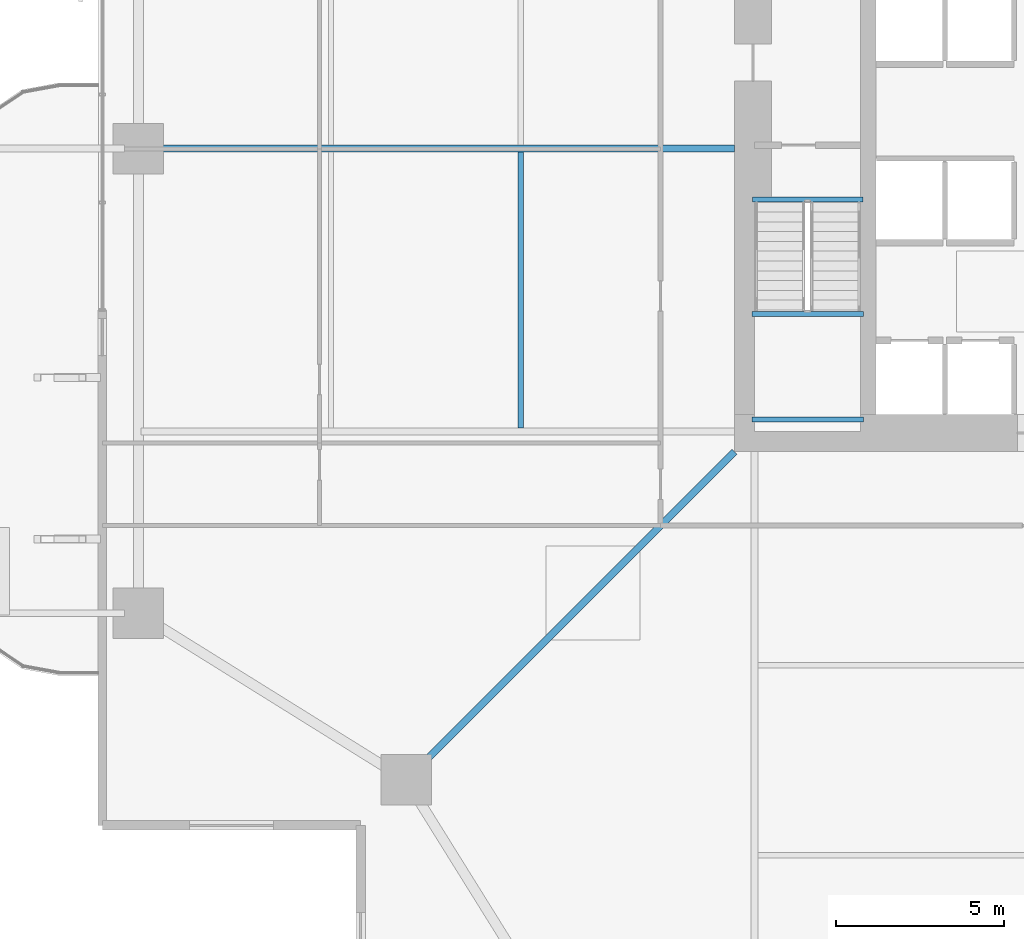
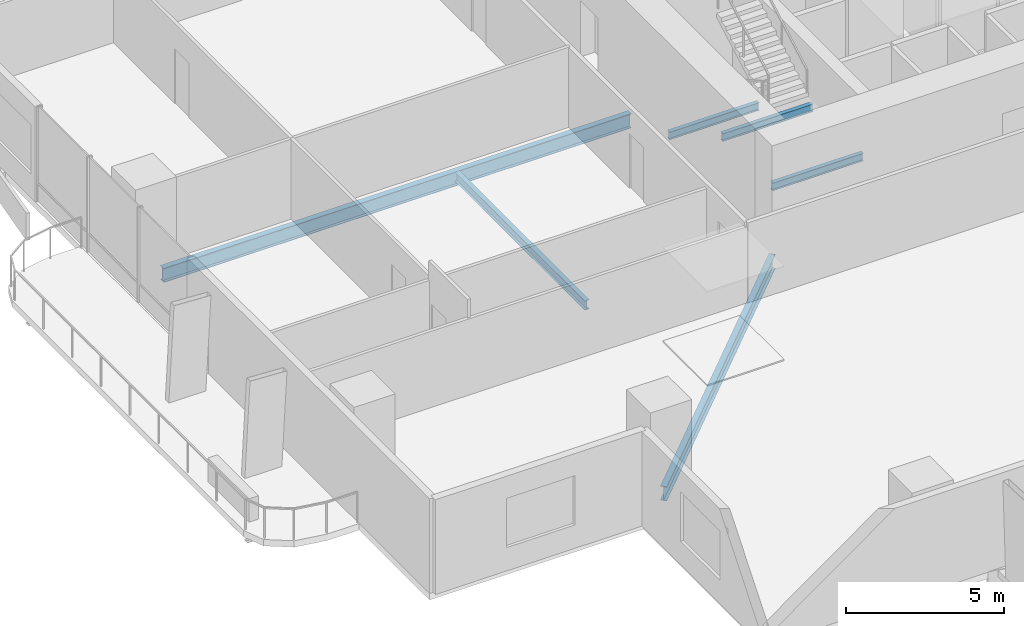
# One storey, part 5 of 24: 6 beams.
"""IFC4 building model written with IfcOpenShell, lengths in metres."""

from ifc_helpers import new_model, si_unit, direction, frame, origin, origin_2d, place, context, subcontext, project, spatial, i_section, extrude, material, material_profile, profile_set, type_object, element, save


model = new_model("IFC4")

# Units and contexts
model_context = context("Model", 3, precision=1e-05, world=origin(), true_north=direction((0.0, 1.0)))
body_context = subcontext(model_context, "Body", "Model", "MODEL_VIEW")
ifc_project = project(units=[si_unit("LENGTHUNIT", "METRE"), si_unit("AREAUNIT", "SQUARE_METRE"), si_unit("VOLUMEUNIT", "CUBIC_METRE"), si_unit("PLANEANGLEUNIT", "RADIAN"), si_unit("MASSUNIT", "GRAM", prefix="KILO")], contexts=[model_context])

# Site, building, storey
site_placement = place(None, origin())
site = spatial("IfcSite", under=ifc_project, at=site_placement, CompositionType="ELEMENT")
building_placement = place(site_placement, origin())
building = spatial("IfcBuilding", under=site, at=building_placement, Name="Belovzor Exchange Tower", CompositionType="ELEMENT")
storey_placement = place(building_placement, frame((0.0, 0.0, 72.89990234375)))
storey = spatial("IfcBuildingStorey", under=building, at=storey_placement, Name="L17", CompositionType="ELEMENT", Elevation=72.89990234375)

# Beams
ifc_material_1 = material(Name="Steel S355", Category="steel")
ifc_material_profile_1 = material_profile(ifc_material_1, i_section(OverallWidth=0.169921875, OverallDepth=0.360107421875, WebThickness=0.008056640625, FlangeThickness=0.0126953125, at=origin_2d()))
ifc_profile_set_1 = profile_set([ifc_material_profile_1], Name="Steel S355")
beam_type_1 = type_object("IfcBeamType", Name="Secondary Infill Floor Joist IPE 360", PredefinedType="BEAM", material=ifc_profile_set_1)
beam_1_placement = place(storey_placement, frame((13.455078125, 20.5048828125, -0.429931640625), z_axis=(0.0, 1.0, 0.0), x_axis=(-1.0, 0.0, 0.0)))
element("IfcBeam", 1, at=beam_1_placement, inside=storey, type_object=beam_type_1, Name="FJ-360 Secondary Infill Floor Joist IPE 360", PredefinedType="BEAM", context=body_context, shape_type="SweptSolid", body=[
    extrude(i_section(OverallWidth=0.169921875, OverallDepth=0.360107421875, WebThickness=0.008056640625, FlangeThickness=0.0126953125, at=origin_2d()), origin(), (0.0, 0.0, 1.0), 8.190185546875),
])
ifc_material_2 = material(Name="Steel S355", Category="steel")
ifc_material_profile_2 = material_profile(ifc_material_2, i_section(OverallWidth=0.14990234375, OverallDepth=0.300048828125, WebThickness=0.007080078125, FlangeThickness=0.0107421875, at=origin_2d()))
ifc_profile_set_2 = profile_set([ifc_material_profile_2], Name="Steel S355")
beam_type_2 = type_object("IfcBeamType", Name="Secondary Trim Floor Joist IPE 300", PredefinedType="BEAM", material=ifc_profile_set_2)
for number, where, z_axis, x_axis, name in (
    (2, (20.320068359375, 23.889892578125, 1.60009765625), (1.0, 0.0, 0.0), (0.0, 1.0, 0.0), "FJ-300 Secondary Trim Floor Joist IPE 300"),
    (3, (20.320068359375, 20.75, 1.60009765625), (1.0, 0.0, 0.0), (0.0, 1.0, 0.0), "FJ-300 Secondary Trim Floor Joist IPE 300"),
):
    element("IfcBeam", number, at=place(storey_placement, frame(where, z_axis=z_axis, x_axis=x_axis)), inside=storey, type_object=beam_type_2, Name=name, PredefinedType="BEAM", context=body_context, shape_type="SweptSolid", body=[
        extrude(i_section(OverallWidth=0.14990234375, OverallDepth=0.300048828125, WebThickness=0.007080078125, FlangeThickness=0.0107421875, at=origin_2d()), origin(), (0.0, 0.0, 1.0), 3.309814453125),
    ])
beam_2_placement = place(storey_placement, frame((20.340087890625, 27.280029296875, -0.39990234375), z_axis=(1.0, 0.0, 0.0), x_axis=(0.0, 1.0, 0.0)))
element("IfcBeam", 4, at=beam_2_placement, inside=storey, type_object=beam_type_2, Name="FJ-300 Secondary Trim Floor Joist IPE 300", PredefinedType="BEAM", context=body_context, shape_type="SweptSolid", body=[
    extrude(i_section(OverallWidth=0.14990234375, OverallDepth=0.300048828125, WebThickness=0.007080078125, FlangeThickness=0.0107421875, at=origin_2d()), origin(), (0.0, 0.0, 1.0), 3.27001953125),
])
ifc_material_3 = material(Name="Steel S355", Category="steel")
ifc_material_profile_3 = material_profile(ifc_material_3, i_section(OverallWidth=0.2099609375, OverallDepth=0.550048828125, WebThickness=0.010986328125, FlangeThickness=0.01708984375, at=origin_2d()))
ifc_profile_set_3 = profile_set([ifc_material_profile_3], Name="Steel S355")
beam_type_3 = type_object("IfcBeamType", Name="Zone 1 Radial Composite Floor Beam IPE 550", PredefinedType="BEAM", material=ifc_profile_set_3)
beam_3_placement = place(storey_placement, frame((19.800048828125, 28.800048828125, -0.52490234375), z_axis=(-1.0, 0.0, 0.0), x_axis=(0.0, -1.0, 0.0)))
element("IfcBeam", 5, at=beam_3_placement, inside=storey, type_object=beam_type_3, Name="FB-550 Zone 1 Radial Composite Floor Beam IPE 550", PredefinedType="BEAM", context=body_context, shape_type="SweptSolid", body=[
    extrude(i_section(OverallWidth=0.2099609375, OverallDepth=0.550048828125, WebThickness=0.010986328125, FlangeThickness=0.01708984375, at=origin_2d()), origin(), (0.0, 0.0, 1.0), 17.0400390625),
])
beam_4_placement = place(storey_placement, frame((19.800048828125, 19.800048828125, -0.52490234375), z_axis=(-0.707106781187, -0.707106781187, 0.0), x_axis=(0.707106781187, -0.707106781187, 0.0)))
element("IfcBeam", 6, at=beam_4_placement, inside=storey, type_object=beam_type_3, Name="FB-550 Zone 1 Radial Composite Floor Beam IPE 550", PredefinedType="BEAM", context=body_context, shape_type="SweptSolid", body=[
    extrude(i_section(OverallWidth=0.2099609375, OverallDepth=0.550048828125, WebThickness=0.010986328125, FlangeThickness=0.01708984375, at=origin_2d()), origin(), (0.0, 0.0, 1.0), 13.25830078125),
])

save(model, "model.ifc")
